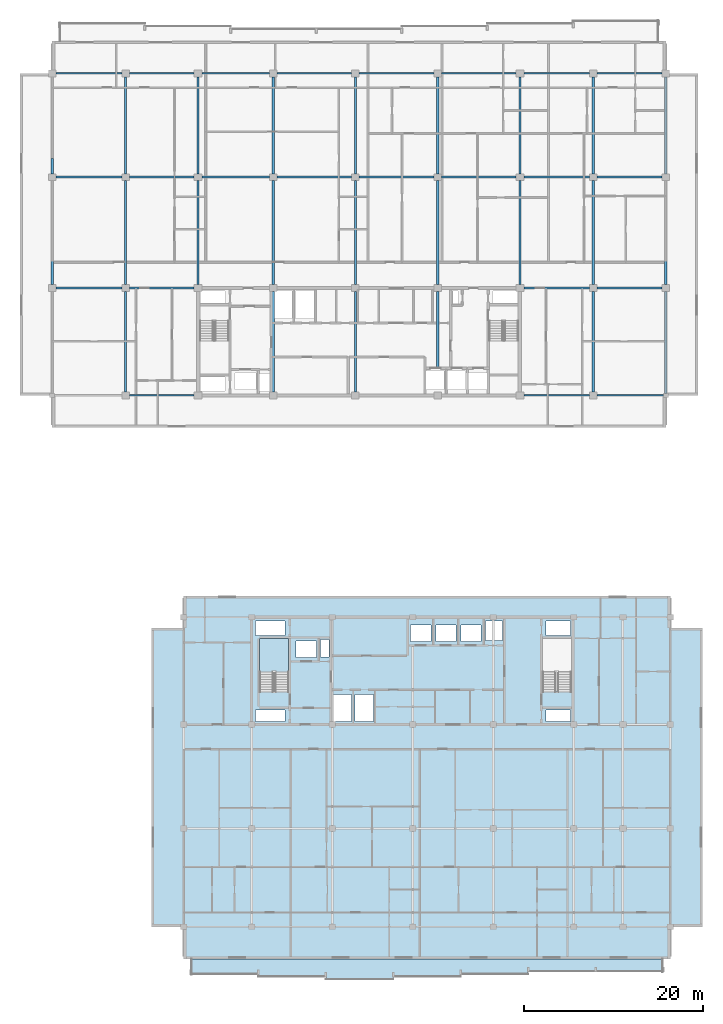
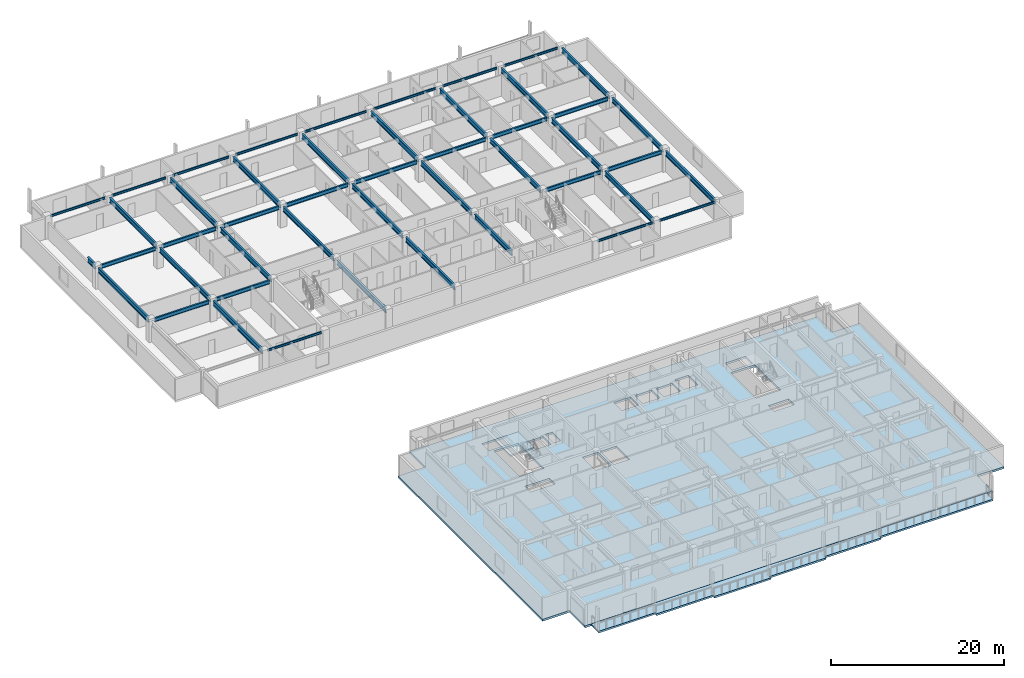
# One storey, part 2 of 22: 47 beams, 3 slabs, 1 element without a shape of its own.
"""IFC4 building model written with IfcOpenShell, lengths in metres."""

from ifc_helpers import new_model, si_unit, direction, frame, origin, origin_2d, place, context, subcontext, project, spatial, polyline, i_section, outline, extrude, material, layer, layer_set, material_profile, profile_set, type_object, element, aggregate, save


model = new_model("IFC4")

# Units and contexts
model_context = context("Model", 3, precision=1e-05, world=origin(), true_north=direction((0.0, 1.0)))
body_context = subcontext(model_context, "Body", "Model", "MODEL_VIEW")
ifc_project = project(units=[si_unit("LENGTHUNIT", "METRE"), si_unit("AREAUNIT", "SQUARE_METRE"), si_unit("VOLUMEUNIT", "CUBIC_METRE"), si_unit("PLANEANGLEUNIT", "RADIAN"), si_unit("MASSUNIT", "GRAM", prefix="KILO")], contexts=[model_context])

# Site, building, storey
site_placement = place(None, origin())
site = spatial("IfcSite", under=ifc_project, at=site_placement, CompositionType="ELEMENT")
building_placement = place(site_placement, origin())
building = spatial("IfcBuilding", under=site, at=building_placement, Name="Korimba Cascade Residences", CompositionType="ELEMENT")
storey_placement = place(building_placement, frame((0.0, 0.0, 181.60009765625)))
storey = spatial("IfcBuildingStorey", under=building, at=storey_placement, Name="L52", CompositionType="ELEMENT", Elevation=181.60009765625)

# Beams
ifc_material_1 = material(Name="Steel S355", Category="steel")
ifc_material_profile_1 = material_profile(ifc_material_1, i_section(OverallWidth=0.165771484375, OverallDepth=0.306640625, WebThickness=0.006591796875, FlangeThickness=0.01171875, FilletRadius=0.0087890625, at=origin_2d()), Name="Steel S355")
ifc_profile_set_1 = profile_set([ifc_material_profile_1], Name="Steel S355")
beam_type_1 = type_object("IfcBeamType", Name="BM-STL-UB305", PredefinedType="SPANDREL", material=ifc_profile_set_1)
beam_1_placement = place(storey_placement, frame((68.425048828125, 55.199951171875, 2.816650390625), z_axis=(1.0, 0.0, 0.0), x_axis=(0.0, 1.0, 0.0)))
element("IfcBeam", 1, at=beam_1_placement, inside=storey, type_object=beam_type_1, Name="L52 T1 E-W Girder Y1 Bay 2", PredefinedType="SPANDREL", context=body_context, shape_type="SweptSolid", body=[
    extrude(i_section(OverallWidth=0.165771484375, OverallDepth=0.306640625, WebThickness=0.006591796875, FlangeThickness=0.01171875, FilletRadius=0.0087890625, at=origin_2d()), origin(), (0.0, 0.0, 1.0), 7.25),
])
beam_2_placement = place(storey_placement, frame((112.52490234375, 55.199951171875, 2.816650390625), z_axis=(1.0, 0.0, 0.0), x_axis=(0.0, 1.0, 0.0)))
element("IfcBeam", 2, at=beam_2_placement, inside=storey, type_object=beam_type_1, Name="L52 T1 E-W Girder Y1 Bay 7", PredefinedType="SPANDREL", context=body_context, shape_type="SweptSolid", body=[
    extrude(i_section(OverallWidth=0.165771484375, OverallDepth=0.306640625, WebThickness=0.006591796875, FlangeThickness=0.01171875, FilletRadius=0.0087890625, at=origin_2d()), origin(), (0.0, 0.0, 1.0), 7.35009765625),
])
beam_3_placement = place(storey_placement, frame((120.72509765625, 55.199951171875, 2.816650390625), z_axis=(1.0, 0.0, 0.0), x_axis=(0.0, 1.0, 0.0)))
element("IfcBeam", 3, at=beam_3_placement, inside=storey, type_object=beam_type_1, Name="L52 T1 E-W Girder Y1 Bay 8", PredefinedType="SPANDREL", context=body_context, shape_type="SweptSolid", body=[
    extrude(i_section(OverallWidth=0.165771484375, OverallDepth=0.306640625, WebThickness=0.006591796875, FlangeThickness=0.01171875, FilletRadius=0.0087890625, at=origin_2d()), origin(), (0.0, 0.0, 1.0), 7.39990234375),
])
beam_4_placement = place(storey_placement, frame((60.22509765625, 91.199951171875, 2.816650390625), z_axis=(1.0, 0.0, 0.0), x_axis=(0.0, 1.0, 0.0)))
element("IfcBeam", 4, at=beam_4_placement, inside=storey, type_object=beam_type_1, Name="L52 T1 E-W Girder Y4 Bay 1", PredefinedType="SPANDREL", context=body_context, shape_type="SweptSolid", body=[
    extrude(i_section(OverallWidth=0.165771484375, OverallDepth=0.306640625, WebThickness=0.006591796875, FlangeThickness=0.01171875, FilletRadius=0.0087890625, at=origin_2d()), origin(), (0.0, 0.0, 1.0), 7.349853515625),
])
beam_5_placement = place(storey_placement, frame((68.425048828125, 91.199951171875, 2.816650390625), z_axis=(1.0, 0.0, 0.0), x_axis=(0.0, 1.0, 0.0)))
element("IfcBeam", 5, at=beam_5_placement, inside=storey, type_object=beam_type_1, Name="L52 T1 E-W Girder Y4 Bay 2", PredefinedType="SPANDREL", context=body_context, shape_type="SweptSolid", body=[
    extrude(i_section(OverallWidth=0.165771484375, OverallDepth=0.306640625, WebThickness=0.006591796875, FlangeThickness=0.01171875, FilletRadius=0.0087890625, at=origin_2d()), origin(), (0.0, 0.0, 1.0), 7.25),
])
beam_6_placement = place(storey_placement, frame((76.52490234375, 91.199951171875, 2.816650390625), z_axis=(1.0, 0.0, 0.0), x_axis=(0.0, 1.0, 0.0)))
element("IfcBeam", 6, at=beam_6_placement, inside=storey, type_object=beam_type_1, Name="L52 T1 E-W Girder Y4 Bay 3", PredefinedType="SPANDREL", context=body_context, shape_type="SweptSolid", body=[
    extrude(i_section(OverallWidth=0.165771484375, OverallDepth=0.306640625, WebThickness=0.006591796875, FlangeThickness=0.01171875, FilletRadius=0.0087890625, at=origin_2d()), origin(), (0.0, 0.0, 1.0), 7.550048828125),
])
beam_7_placement = place(storey_placement, frame((84.925048828125, 91.199951171875, 2.816650390625), z_axis=(1.0, 0.0, 0.0), x_axis=(0.0, 1.0, 0.0)))
element("IfcBeam", 7, at=beam_7_placement, inside=storey, type_object=beam_type_1, Name="L52 T1 E-W Girder Y4 Bay 4", PredefinedType="SPANDREL", context=body_context, shape_type="SweptSolid", body=[
    extrude(i_section(OverallWidth=0.165771484375, OverallDepth=0.306640625, WebThickness=0.006591796875, FlangeThickness=0.01171875, FilletRadius=0.0087890625, at=origin_2d()), origin(), (0.0, 0.0, 1.0), 8.349853515625),
])
for number, where, z_axis, x_axis, name in (
    (8, (94.125, 91.199951171875, 2.816650390625), (1.0, 0.0, 0.0), (0.0, 1.0, 0.0), "L52 T1 E-W Girder Y4 Bay 5"),
    (9, (103.324951171875, 91.199951171875, 2.816650390625), (1.0, 0.0, 0.0), (0.0, 1.0, 0.0), "L52 T1 E-W Girder Y4 Bay 6"),
):
    element("IfcBeam", number, at=place(storey_placement, frame(where, z_axis=z_axis, x_axis=x_axis)), inside=storey, type_object=beam_type_1, Name=name, PredefinedType="SPANDREL", context=body_context, shape_type="SweptSolid", body=[
        extrude(i_section(OverallWidth=0.165771484375, OverallDepth=0.306640625, WebThickness=0.006591796875, FlangeThickness=0.01171875, FilletRadius=0.0087890625, at=origin_2d()), origin(), (0.0, 0.0, 1.0), 8.35009765625),
    ])
beam_8_placement = place(storey_placement, frame((112.52490234375, 91.199951171875, 2.816650390625), z_axis=(1.0, 0.0, 0.0), x_axis=(0.0, 1.0, 0.0)))
element("IfcBeam", 10, at=beam_8_placement, inside=storey, type_object=beam_type_1, Name="L52 T1 E-W Girder Y4 Bay 7", PredefinedType="SPANDREL", context=body_context, shape_type="SweptSolid", body=[
    extrude(i_section(OverallWidth=0.165771484375, OverallDepth=0.306640625, WebThickness=0.006591796875, FlangeThickness=0.01171875, FilletRadius=0.0087890625, at=origin_2d()), origin(), (0.0, 0.0, 1.0), 7.35009765625),
])
beam_9_placement = place(storey_placement, frame((120.72509765625, 91.199951171875, 2.816650390625), z_axis=(1.0, 0.0, 0.0), x_axis=(0.0, 1.0, 0.0)))
element("IfcBeam", 11, at=beam_9_placement, inside=storey, type_object=beam_type_1, Name="L52 T1 E-W Girder Y4 Bay 8", PredefinedType="SPANDREL", context=body_context, shape_type="SweptSolid", body=[
    extrude(i_section(OverallWidth=0.165771484375, OverallDepth=0.306640625, WebThickness=0.006591796875, FlangeThickness=0.01171875, FilletRadius=0.0087890625, at=origin_2d()), origin(), (0.0, 0.0, 1.0), 7.25),
])
ifc_material_profile_2 = material_profile(ifc_material_1, i_section(OverallWidth=0.2099609375, OverallDepth=0.53662109375, WebThickness=0.0107421875, FlangeThickness=0.017333984375, FilletRadius=0.0126953125, at=origin_2d()), Name="Steel S355")
ifc_profile_set_2 = profile_set([ifc_material_profile_2], Name="Steel S355")
beam_type_2 = type_object("IfcBeamType", Name="BM-STL-UB533", PredefinedType="BEAM", material=ifc_profile_set_2)
beam_10_placement = place(storey_placement, frame((60.22509765625, 67.199951171875, 2.701416015625), z_axis=(1.0, 0.0, 0.0), x_axis=(0.0, 1.0, 0.0)))
element("IfcBeam", 12, at=beam_10_placement, inside=storey, type_object=beam_type_2, Name="L52 T1 E-W Girder Y2 Bay 1", PredefinedType="BEAM", context=body_context, shape_type="SweptSolid", body=[
    extrude(i_section(OverallWidth=0.2099609375, OverallDepth=0.53662109375, WebThickness=0.0107421875, FlangeThickness=0.017333984375, FilletRadius=0.0126953125, at=origin_2d()), origin(), (0.0, 0.0, 1.0), 7.349853515625),
])
beam_11_placement = place(storey_placement, frame((68.425048828125, 67.199951171875, 2.701416015625), z_axis=(1.0, 0.0, 0.0), x_axis=(0.0, 1.0, 0.0)))
element("IfcBeam", 13, at=beam_11_placement, inside=storey, type_object=beam_type_2, Name="L52 T1 E-W Girder Y2 Bay 2", PredefinedType="BEAM", context=body_context, shape_type="SweptSolid", body=[
    extrude(i_section(OverallWidth=0.2099609375, OverallDepth=0.53662109375, WebThickness=0.0107421875, FlangeThickness=0.017333984375, FilletRadius=0.0126953125, at=origin_2d()), origin(), (0.0, 0.0, 1.0), 7.25),
])
beam_12_placement = place(storey_placement, frame((112.52490234375, 67.199951171875, 2.701416015625), z_axis=(1.0, 0.0, 0.0), x_axis=(0.0, 1.0, 0.0)))
element("IfcBeam", 14, at=beam_12_placement, inside=storey, type_object=beam_type_2, Name="L52 T1 E-W Girder Y2 Bay 7", PredefinedType="BEAM", context=body_context, shape_type="SweptSolid", body=[
    extrude(i_section(OverallWidth=0.2099609375, OverallDepth=0.53662109375, WebThickness=0.0107421875, FlangeThickness=0.017333984375, FilletRadius=0.0126953125, at=origin_2d()), origin(), (0.0, 0.0, 1.0), 7.35009765625),
])
beam_13_placement = place(storey_placement, frame((120.72509765625, 67.199951171875, 2.701416015625), z_axis=(1.0, 0.0, 0.0), x_axis=(0.0, 1.0, 0.0)))
element("IfcBeam", 15, at=beam_13_placement, inside=storey, type_object=beam_type_2, Name="L52 T1 E-W Girder Y2 Bay 8", PredefinedType="BEAM", context=body_context, shape_type="SweptSolid", body=[
    extrude(i_section(OverallWidth=0.2099609375, OverallDepth=0.53662109375, WebThickness=0.0107421875, FlangeThickness=0.017333984375, FilletRadius=0.0126953125, at=origin_2d()), origin(), (0.0, 0.0, 1.0), 7.25),
])
beam_14_placement = place(storey_placement, frame((60.22509765625, 79.60009765625, 2.701416015625), z_axis=(1.0, 0.0, 0.0), x_axis=(0.0, 1.0, 0.0)))
element("IfcBeam", 16, at=beam_14_placement, inside=storey, type_object=beam_type_2, Name="L52 T1 E-W Girder Y3 Bay 1", PredefinedType="BEAM", context=body_context, shape_type="SweptSolid", body=[
    extrude(i_section(OverallWidth=0.2099609375, OverallDepth=0.53662109375, WebThickness=0.0107421875, FlangeThickness=0.017333984375, FilletRadius=0.0126953125, at=origin_2d()), origin(), (0.0, 0.0, 1.0), 7.349853515625),
])
beam_15_placement = place(storey_placement, frame((68.425048828125, 79.60009765625, 2.701416015625), z_axis=(1.0, 0.0, 0.0), x_axis=(0.0, 1.0, 0.0)))
element("IfcBeam", 17, at=beam_15_placement, inside=storey, type_object=beam_type_2, Name="L52 T1 E-W Girder Y3 Bay 2", PredefinedType="BEAM", context=body_context, shape_type="SweptSolid", body=[
    extrude(i_section(OverallWidth=0.2099609375, OverallDepth=0.53662109375, WebThickness=0.0107421875, FlangeThickness=0.017333984375, FilletRadius=0.0126953125, at=origin_2d()), origin(), (0.0, 0.0, 1.0), 7.25),
])
beam_16_placement = place(storey_placement, frame((76.52490234375, 79.60009765625, 2.701416015625), z_axis=(1.0, 0.0, 0.0), x_axis=(0.0, 1.0, 0.0)))
element("IfcBeam", 18, at=beam_16_placement, inside=storey, type_object=beam_type_2, Name="L52 T1 E-W Girder Y3 Bay 3", PredefinedType="BEAM", context=body_context, shape_type="SweptSolid", body=[
    extrude(i_section(OverallWidth=0.2099609375, OverallDepth=0.53662109375, WebThickness=0.0107421875, FlangeThickness=0.017333984375, FilletRadius=0.0126953125, at=origin_2d()), origin(), (0.0, 0.0, 1.0), 7.550048828125),
])
beam_17_placement = place(storey_placement, frame((84.925048828125, 79.60009765625, 2.701416015625), z_axis=(1.0, 0.0, 0.0), x_axis=(0.0, 1.0, 0.0)))
element("IfcBeam", 19, at=beam_17_placement, inside=storey, type_object=beam_type_2, Name="L52 T1 E-W Girder Y3 Bay 4", PredefinedType="BEAM", context=body_context, shape_type="SweptSolid", body=[
    extrude(i_section(OverallWidth=0.2099609375, OverallDepth=0.53662109375, WebThickness=0.0107421875, FlangeThickness=0.017333984375, FilletRadius=0.0126953125, at=origin_2d()), origin(), (0.0, 0.0, 1.0), 8.349853515625),
])
for number, where, z_axis, x_axis, name in (
    (20, (94.125, 79.60009765625, 2.701416015625), (1.0, 0.0, 0.0), (0.0, 1.0, 0.0), "L52 T1 E-W Girder Y3 Bay 5"),
    (21, (103.324951171875, 79.60009765625, 2.701416015625), (1.0, 0.0, 0.0), (0.0, 1.0, 0.0), "L52 T1 E-W Girder Y3 Bay 6"),
):
    element("IfcBeam", number, at=place(storey_placement, frame(where, z_axis=z_axis, x_axis=x_axis)), inside=storey, type_object=beam_type_2, Name=name, PredefinedType="BEAM", context=body_context, shape_type="SweptSolid", body=[
        extrude(i_section(OverallWidth=0.2099609375, OverallDepth=0.53662109375, WebThickness=0.0107421875, FlangeThickness=0.017333984375, FilletRadius=0.0126953125, at=origin_2d()), origin(), (0.0, 0.0, 1.0), 8.35009765625),
    ])
beam_18_placement = place(storey_placement, frame((112.52490234375, 79.60009765625, 2.701416015625), z_axis=(1.0, 0.0, 0.0), x_axis=(0.0, 1.0, 0.0)))
element("IfcBeam", 22, at=beam_18_placement, inside=storey, type_object=beam_type_2, Name="L52 T1 E-W Girder Y3 Bay 7", PredefinedType="BEAM", context=body_context, shape_type="SweptSolid", body=[
    extrude(i_section(OverallWidth=0.2099609375, OverallDepth=0.53662109375, WebThickness=0.0107421875, FlangeThickness=0.017333984375, FilletRadius=0.0126953125, at=origin_2d()), origin(), (0.0, 0.0, 1.0), 7.35009765625),
])
beam_19_placement = place(storey_placement, frame((120.72509765625, 79.60009765625, 2.701416015625), z_axis=(1.0, 0.0, 0.0), x_axis=(0.0, 1.0, 0.0)))
element("IfcBeam", 23, at=beam_19_placement, inside=storey, type_object=beam_type_2, Name="L52 T1 E-W Girder Y3 Bay 8", PredefinedType="BEAM", context=body_context, shape_type="SweptSolid", body=[
    extrude(i_section(OverallWidth=0.2099609375, OverallDepth=0.53662109375, WebThickness=0.0107421875, FlangeThickness=0.017333984375, FilletRadius=0.0126953125, at=origin_2d()), origin(), (0.0, 0.0, 1.0), 7.25),
])
ifc_material_profile_3 = material_profile(ifc_material_1, i_section(OverallWidth=0.255859375, OverallDepth=0.69287109375, WebThickness=0.014404296875, FlangeThickness=0.023681640625, FilletRadius=0.01513671875, at=origin_2d()), Name="Steel S355")
ifc_profile_set_3 = profile_set([ifc_material_profile_3], Name="Steel S355")
beam_type_3 = type_object("IfcBeamType", Name="BM-STL-UB686", PredefinedType="BEAM", material=ifc_profile_set_3)
beam_20_placement = place(storey_placement, frame((59.800048828125, 67.574951171875, 2.623291015625), z_axis=(0.0, 1.0, 0.0), x_axis=(-1.0, 0.0, 0.0)))
element("IfcBeam", 24, at=beam_20_placement, inside=storey, type_object=beam_type_3, Name="L52 T1 N-S Girder X1 Seg 2", PredefinedType="BEAM", context=body_context, shape_type="SweptSolid", body=[
    extrude(i_section(OverallWidth=0.255859375, OverallDepth=0.69287109375, WebThickness=0.014404296875, FlangeThickness=0.023681640625, FilletRadius=0.01513671875, at=origin_2d()), origin(), (0.0, 0.0, 1.0), 11.650146484375),
])
beam_21_placement = place(storey_placement, frame((59.800048828125, 79.97509765625, 2.623291015625), z_axis=(0.0, 1.0, 0.0), x_axis=(-1.0, 0.0, 0.0)))
element("IfcBeam", 25, at=beam_21_placement, inside=storey, type_object=beam_type_3, Name="L52 T1 N-S Girder X1 Seg 3", PredefinedType="BEAM", context=body_context, shape_type="SweptSolid", body=[
    extrude(i_section(OverallWidth=0.255859375, OverallDepth=0.69287109375, WebThickness=0.014404296875, FlangeThickness=0.023681640625, FilletRadius=0.01513671875, at=origin_2d()), origin(), (0.0, 0.0, 1.0), 1.724853515625),
])
beam_22_placement = place(storey_placement, frame((68.0, 55.574951171875, 2.623291015625), z_axis=(0.0, 1.0, 0.0), x_axis=(-1.0, 0.0, 0.0)))
element("IfcBeam", 26, at=beam_22_placement, inside=storey, type_object=beam_type_3, Name="L52 T1 N-S Girder X2 Seg 1", PredefinedType="BEAM", context=body_context, shape_type="SweptSolid", body=[
    extrude(i_section(OverallWidth=0.255859375, OverallDepth=0.69287109375, WebThickness=0.014404296875, FlangeThickness=0.023681640625, FilletRadius=0.01513671875, at=origin_2d()), origin(), (0.0, 0.0, 1.0), 11.25),
])
beam_23_placement = place(storey_placement, frame((68.0, 67.574951171875, 2.623291015625), z_axis=(0.0, 1.0, 0.0), x_axis=(-1.0, 0.0, 0.0)))
element("IfcBeam", 27, at=beam_23_placement, inside=storey, type_object=beam_type_3, Name="L52 T1 N-S Girder X2 Seg 2", PredefinedType="BEAM", context=body_context, shape_type="SweptSolid", body=[
    extrude(i_section(OverallWidth=0.255859375, OverallDepth=0.69287109375, WebThickness=0.014404296875, FlangeThickness=0.023681640625, FilletRadius=0.01513671875, at=origin_2d()), origin(), (0.0, 0.0, 1.0), 11.650146484375),
])
beam_24_placement = place(storey_placement, frame((68.0, 79.97509765625, 2.623291015625), z_axis=(0.0, 1.0, 0.0), x_axis=(-1.0, 0.0, 0.0)))
element("IfcBeam", 28, at=beam_24_placement, inside=storey, type_object=beam_type_3, Name="L52 T1 N-S Girder X2 Seg 3", PredefinedType="BEAM", context=body_context, shape_type="SweptSolid", body=[
    extrude(i_section(OverallWidth=0.255859375, OverallDepth=0.69287109375, WebThickness=0.014404296875, FlangeThickness=0.023681640625, FilletRadius=0.01513671875, at=origin_2d()), origin(), (0.0, 0.0, 1.0), 10.849853515625),
])
beam_25_placement = place(storey_placement, frame((76.10009765625, 67.574951171875, 2.623291015625), z_axis=(0.0, 1.0, 0.0), x_axis=(-1.0, 0.0, 0.0)))
element("IfcBeam", 29, at=beam_25_placement, inside=storey, type_object=beam_type_3, Name="L52 T1 N-S Girder X3 Seg 2", PredefinedType="BEAM", context=body_context, shape_type="SweptSolid", body=[
    extrude(i_section(OverallWidth=0.255859375, OverallDepth=0.69287109375, WebThickness=0.014404296875, FlangeThickness=0.023681640625, FilletRadius=0.01513671875, at=origin_2d()), origin(), (0.0, 0.0, 1.0), 11.650146484375),
])
beam_26_placement = place(storey_placement, frame((76.10009765625, 79.97509765625, 2.623291015625), z_axis=(0.0, 1.0, 0.0), x_axis=(-1.0, 0.0, 0.0)))
element("IfcBeam", 30, at=beam_26_placement, inside=storey, type_object=beam_type_3, Name="L52 T1 N-S Girder X3 Seg 3", PredefinedType="BEAM", context=body_context, shape_type="SweptSolid", body=[
    extrude(i_section(OverallWidth=0.255859375, OverallDepth=0.69287109375, WebThickness=0.014404296875, FlangeThickness=0.023681640625, FilletRadius=0.01513671875, at=origin_2d()), origin(), (0.0, 0.0, 1.0), 10.849853515625),
])
beam_27_placement = place(storey_placement, frame((84.5, 55.574951171875, 2.623291015625), z_axis=(0.0, 1.0, 0.0), x_axis=(-1.0, 0.0, 0.0)))
element("IfcBeam", 31, at=beam_27_placement, inside=storey, type_object=beam_type_3, Name="L52 T1 N-S Girder X4 Seg 1", PredefinedType="BEAM", context=body_context, shape_type="SweptSolid", body=[
    extrude(i_section(OverallWidth=0.255859375, OverallDepth=0.69287109375, WebThickness=0.014404296875, FlangeThickness=0.023681640625, FilletRadius=0.01513671875, at=origin_2d()), origin(), (0.0, 0.0, 1.0), 11.25),
])
beam_28_placement = place(storey_placement, frame((84.5, 67.574951171875, 2.623291015625), z_axis=(0.0, 1.0, 0.0), x_axis=(-1.0, 0.0, 0.0)))
element("IfcBeam", 32, at=beam_28_placement, inside=storey, type_object=beam_type_3, Name="L52 T1 N-S Girder X4 Seg 2", PredefinedType="BEAM", context=body_context, shape_type="SweptSolid", body=[
    extrude(i_section(OverallWidth=0.255859375, OverallDepth=0.69287109375, WebThickness=0.014404296875, FlangeThickness=0.023681640625, FilletRadius=0.01513671875, at=origin_2d()), origin(), (0.0, 0.0, 1.0), 11.650146484375),
])
beam_29_placement = place(storey_placement, frame((84.5, 79.97509765625, 2.623291015625), z_axis=(0.0, 1.0, 0.0), x_axis=(-1.0, 0.0, 0.0)))
element("IfcBeam", 33, at=beam_29_placement, inside=storey, type_object=beam_type_3, Name="L52 T1 N-S Girder X4 Seg 3", PredefinedType="BEAM", context=body_context, shape_type="SweptSolid", body=[
    extrude(i_section(OverallWidth=0.255859375, OverallDepth=0.69287109375, WebThickness=0.014404296875, FlangeThickness=0.023681640625, FilletRadius=0.01513671875, at=origin_2d()), origin(), (0.0, 0.0, 1.0), 10.849853515625),
])
beam_30_placement = place(storey_placement, frame((93.699951171875, 55.574951171875, 2.623291015625), z_axis=(0.0, 1.0, 0.0), x_axis=(-1.0, 0.0, 0.0)))
element("IfcBeam", 34, at=beam_30_placement, inside=storey, type_object=beam_type_3, Name="L52 T1 N-S Girder X5 Seg 1", PredefinedType="BEAM", context=body_context, shape_type="SweptSolid", body=[
    extrude(i_section(OverallWidth=0.255859375, OverallDepth=0.69287109375, WebThickness=0.014404296875, FlangeThickness=0.023681640625, FilletRadius=0.01513671875, at=origin_2d()), origin(), (0.0, 0.0, 1.0), 11.25),
])
beam_31_placement = place(storey_placement, frame((93.699951171875, 67.574951171875, 2.623291015625), z_axis=(0.0, 1.0, 0.0), x_axis=(-1.0, 0.0, 0.0)))
element("IfcBeam", 35, at=beam_31_placement, inside=storey, type_object=beam_type_3, Name="L52 T1 N-S Girder X5 Seg 2", PredefinedType="BEAM", context=body_context, shape_type="SweptSolid", body=[
    extrude(i_section(OverallWidth=0.255859375, OverallDepth=0.69287109375, WebThickness=0.014404296875, FlangeThickness=0.023681640625, FilletRadius=0.01513671875, at=origin_2d()), origin(), (0.0, 0.0, 1.0), 11.650146484375),
])
beam_32_placement = place(storey_placement, frame((93.699951171875, 79.97509765625, 2.623291015625), z_axis=(0.0, 1.0, 0.0), x_axis=(-1.0, 0.0, 0.0)))
element("IfcBeam", 36, at=beam_32_placement, inside=storey, type_object=beam_type_3, Name="L52 T1 N-S Girder X5 Seg 3", PredefinedType="BEAM", context=body_context, shape_type="SweptSolid", body=[
    extrude(i_section(OverallWidth=0.255859375, OverallDepth=0.69287109375, WebThickness=0.014404296875, FlangeThickness=0.023681640625, FilletRadius=0.01513671875, at=origin_2d()), origin(), (0.0, 0.0, 1.0), 10.849853515625),
])
beam_33_placement = place(storey_placement, frame((102.89990234375, 58.260009765625, 2.623291015625), z_axis=(0.0, 1.0, 0.0), x_axis=(-1.0, 0.0, 0.0)))
element("IfcBeam", 37, at=beam_33_placement, inside=storey, type_object=beam_type_3, Name="L52 T1 N-S Girder X6 Seg 1", PredefinedType="BEAM", context=body_context, shape_type="SweptSolid", body=[
    extrude(i_section(OverallWidth=0.255859375, OverallDepth=0.69287109375, WebThickness=0.014404296875, FlangeThickness=0.023681640625, FilletRadius=0.01513671875, at=origin_2d()), origin(), (0.0, 0.0, 1.0), 8.56494140625),
])
beam_34_placement = place(storey_placement, frame((102.89990234375, 67.574951171875, 2.623291015625), z_axis=(0.0, 1.0, 0.0), x_axis=(-1.0, 0.0, 0.0)))
element("IfcBeam", 38, at=beam_34_placement, inside=storey, type_object=beam_type_3, Name="L52 T1 N-S Girder X6 Seg 2", PredefinedType="BEAM", context=body_context, shape_type="SweptSolid", body=[
    extrude(i_section(OverallWidth=0.255859375, OverallDepth=0.69287109375, WebThickness=0.014404296875, FlangeThickness=0.023681640625, FilletRadius=0.01513671875, at=origin_2d()), origin(), (0.0, 0.0, 1.0), 11.650146484375),
])
beam_35_placement = place(storey_placement, frame((102.89990234375, 79.97509765625, 2.623291015625), z_axis=(0.0, 1.0, 0.0), x_axis=(-1.0, 0.0, 0.0)))
element("IfcBeam", 39, at=beam_35_placement, inside=storey, type_object=beam_type_3, Name="L52 T1 N-S Girder X6 Seg 3", PredefinedType="BEAM", context=body_context, shape_type="SweptSolid", body=[
    extrude(i_section(OverallWidth=0.255859375, OverallDepth=0.69287109375, WebThickness=0.014404296875, FlangeThickness=0.023681640625, FilletRadius=0.01513671875, at=origin_2d()), origin(), (0.0, 0.0, 1.0), 10.849853515625),
])
beam_36_placement = place(storey_placement, frame((112.10009765625, 67.574951171875, 2.623291015625), z_axis=(0.0, 1.0, 0.0), x_axis=(-1.0, 0.0, 0.0)))
element("IfcBeam", 40, at=beam_36_placement, inside=storey, type_object=beam_type_3, Name="L52 T1 N-S Girder X7 Seg 2", PredefinedType="BEAM", context=body_context, shape_type="SweptSolid", body=[
    extrude(i_section(OverallWidth=0.255859375, OverallDepth=0.69287109375, WebThickness=0.014404296875, FlangeThickness=0.023681640625, FilletRadius=0.01513671875, at=origin_2d()), origin(), (0.0, 0.0, 1.0), 11.650146484375),
])
beam_37_placement = place(storey_placement, frame((112.10009765625, 79.97509765625, 2.623291015625), z_axis=(0.0, 1.0, 0.0), x_axis=(-1.0, 0.0, 0.0)))
element("IfcBeam", 41, at=beam_37_placement, inside=storey, type_object=beam_type_3, Name="L52 T1 N-S Girder X7 Seg 3", PredefinedType="BEAM", context=body_context, shape_type="SweptSolid", body=[
    extrude(i_section(OverallWidth=0.255859375, OverallDepth=0.69287109375, WebThickness=0.014404296875, FlangeThickness=0.023681640625, FilletRadius=0.01513671875, at=origin_2d()), origin(), (0.0, 0.0, 1.0), 10.849853515625),
])
beam_38_placement = place(storey_placement, frame((120.300048828125, 55.574951171875, 2.623291015625), z_axis=(0.0, 1.0, 0.0), x_axis=(-1.0, 0.0, 0.0)))
element("IfcBeam", 42, at=beam_38_placement, inside=storey, type_object=beam_type_3, Name="L52 T1 N-S Girder X8 Seg 1", PredefinedType="BEAM", context=body_context, shape_type="SweptSolid", body=[
    extrude(i_section(OverallWidth=0.255859375, OverallDepth=0.69287109375, WebThickness=0.014404296875, FlangeThickness=0.023681640625, FilletRadius=0.01513671875, at=origin_2d()), origin(), (0.0, 0.0, 1.0), 11.25),
])
beam_39_placement = place(storey_placement, frame((120.300048828125, 67.574951171875, 2.623291015625), z_axis=(0.0, 1.0, 0.0), x_axis=(-1.0, 0.0, 0.0)))
element("IfcBeam", 43, at=beam_39_placement, inside=storey, type_object=beam_type_3, Name="L52 T1 N-S Girder X8 Seg 2", PredefinedType="BEAM", context=body_context, shape_type="SweptSolid", body=[
    extrude(i_section(OverallWidth=0.255859375, OverallDepth=0.69287109375, WebThickness=0.014404296875, FlangeThickness=0.023681640625, FilletRadius=0.01513671875, at=origin_2d()), origin(), (0.0, 0.0, 1.0), 11.650146484375),
])
beam_40_placement = place(storey_placement, frame((120.300048828125, 79.97509765625, 2.623291015625), z_axis=(0.0, 1.0, 0.0), x_axis=(-1.0, 0.0, 0.0)))
element("IfcBeam", 44, at=beam_40_placement, inside=storey, type_object=beam_type_3, Name="L52 T1 N-S Girder X8 Seg 3", PredefinedType="BEAM", context=body_context, shape_type="SweptSolid", body=[
    extrude(i_section(OverallWidth=0.255859375, OverallDepth=0.69287109375, WebThickness=0.014404296875, FlangeThickness=0.023681640625, FilletRadius=0.01513671875, at=origin_2d()), origin(), (0.0, 0.0, 1.0), 10.849853515625),
])
beam_41_placement = place(storey_placement, frame((128.39990234375, 55.425048828125, 2.623291015625), z_axis=(0.0, 1.0, 0.0), x_axis=(-1.0, 0.0, 0.0)))
element("IfcBeam", 45, at=beam_41_placement, inside=storey, type_object=beam_type_3, Name="L52 T1 N-S Girder X9 Seg 1", PredefinedType="BEAM", context=body_context, shape_type="SweptSolid", body=[
    extrude(i_section(OverallWidth=0.255859375, OverallDepth=0.69287109375, WebThickness=0.014404296875, FlangeThickness=0.023681640625, FilletRadius=0.01513671875, at=origin_2d()), origin(), (0.0, 0.0, 1.0), 11.39990234375),
])
beam_42_placement = place(storey_placement, frame((128.39990234375, 67.574951171875, 2.623291015625), z_axis=(0.0, 1.0, 0.0), x_axis=(-1.0, 0.0, 0.0)))
element("IfcBeam", 46, at=beam_42_placement, inside=storey, type_object=beam_type_3, Name="L52 T1 N-S Girder X9 Seg 2", PredefinedType="BEAM", context=body_context, shape_type="SweptSolid", body=[
    extrude(i_section(OverallWidth=0.255859375, OverallDepth=0.69287109375, WebThickness=0.014404296875, FlangeThickness=0.023681640625, FilletRadius=0.01513671875, at=origin_2d()), origin(), (0.0, 0.0, 1.0), 11.650146484375),
])
beam_43_placement = place(storey_placement, frame((128.39990234375, 79.97509765625, 2.623291015625), z_axis=(0.0, 1.0, 0.0), x_axis=(-1.0, 0.0, 0.0)))
element("IfcBeam", 47, at=beam_43_placement, inside=storey, type_object=beam_type_3, Name="L52 T1 N-S Girder X9 Seg 3", PredefinedType="BEAM", context=body_context, shape_type="SweptSolid", body=[
    extrude(i_section(OverallWidth=0.255859375, OverallDepth=0.69287109375, WebThickness=0.014404296875, FlangeThickness=0.023681640625, FilletRadius=0.01513671875, at=origin_2d()), origin(), (0.0, 0.0, 1.0), 10.849853515625),
])

# Stair, slab
ifc_material_2 = material(Name="Concrete C50/60", Category="concrete")
stair_type = type_object("IfcStairType", Name="STR-E1-18R-1806", PredefinedType="HALF_TURN_STAIR", material=ifc_material_2)
stair_placement = place(storey_placement, origin())
stair = element("IfcStair", 48, at=stair_placement, inside=storey, type_object=stair_type, Name="L52 Tower 2 West Fire Stair ST-E1", PredefinedType="HALF_TURN_STAIR")
ifc_layer_1 = layer(ifc_material_2, 0.199951171875)
ifc_layer_set_1 = layer_set([ifc_layer_1], Name="Concrete C50/60")
slab_type_1 = type_object("IfcSlabType", Name="SLB-LND-220", PredefinedType="LANDING", material=ifc_layer_set_1)
slab_1_placement = place(storey_placement, frame((0.0, 0.0, 1.4248046875)))
slab_1 = element("IfcSlab", 49, at=slab_1_placement, type_object=slab_type_1, Name="ST-E1 landing 1", PredefinedType="LANDING", context=body_context, shape_type="SweptSolid", body=[
    extrude(outline(polyline([(86.239990234375, 24.2900390625), (86.239990234375, 28.0), (83.0, 28.0), (83.0, 24.2900390625), (86.239990234375, 24.2900390625)])), origin(), (0.0, 0.0, 1.0), 0.2001953125),
])
aggregate(stair, [slab_1])

# Slabs
ifc_material_3 = material(Name="Precast concrete C40/50", Category="concrete")
ifc_layer_2 = layer(ifc_material_3, 0.239990234375)
ifc_layer_set_2 = layer_set([ifc_layer_2], Name="Precast concrete C40/50")
slab_type_2 = type_object("IfcSlabType", Name="SLB-LOG-240", PredefinedType="FLOOR", material=ifc_layer_set_2)
slab_2_placement = place(storey_placement, frame((0.0, 0.0, -0.239990234375)))
element("IfcSlab", 50, at=slab_2_placement, inside=storey, type_object=slab_type_2, Name="L52 Tower 2 South Loggia Slab", PredefinedType="FLOOR", context=body_context, shape_type="SweptSolid", body=[
    extrude(outline(polyline([(75.300048828125, -9.550048828125), (82.843017578125, -9.550048828125), (82.843017578125, -9.85009765625), (90.3857421875, -9.85009765625), (90.3857421875, -10.14990234375), (97.9287109375, -10.14990234375), (97.9287109375, -9.85009765625), (105.471435546875, -9.85009765625), (105.471435546875, -9.550048828125), (113.014404296875, -9.550048828125), (113.014404296875, -9.25), (128.10009765625, -9.25), (128.10009765625, -7.800048828125), (75.300048828125, -7.800048828125), (75.300048828125, -9.550048828125)])), origin(), (0.0, 0.0, 1.0), 0.239990234375),
])
ifc_layer_3 = layer(ifc_material_2, 0.280029296875)
ifc_layer_set_3 = layer_set([ifc_layer_3], Name="Concrete C50/60")
slab_type_3 = type_object("IfcSlabType", Name="SLB-TYP-280", PredefinedType="FLOOR", material=ifc_layer_set_3)
slab_3_placement = place(storey_placement, frame((0.0, 0.0, -0.280029296875)))
element("IfcSlab", 51, at=slab_3_placement, inside=storey, type_object=slab_type_3, Name="L52 Tower 2 Floor Slab", PredefinedType="FLOOR", context=body_context, shape_type="SweptSolid", body=[
    extrude(outline(polyline([(74.5, -7.800048828125), (128.89990234375, -7.800048828125), (128.89990234375, -4.199951171875), (132.5, -4.199951171875), (132.5, 29.199951171875), (128.89990234375, 29.199951171875), (128.89990234375, 32.800048828125), (74.5, 32.800048828125), (74.5, 29.199951171875), (70.89990234375, 29.199951171875), (70.89990234375, -4.199951171875), (74.5, -4.199951171875), (74.5, -7.800048828125)]), holes=[polyline([(86.239990234375, 22.0849609375), (86.239990234375, 28.0), (83.0, 28.0), (83.0, 22.0849609375), (86.239990234375, 22.0849609375)]), polyline([(117.840087890625, 22.0849609375), (117.840087890625, 28.0), (114.60009765625, 28.0), (114.60009765625, 22.0849609375), (117.840087890625, 22.0849609375)]), polyline([(87.030029296875, 25.8798828125), (89.3701171875, 25.8798828125), (89.3701171875, 27.719970703125), (87.030029296875, 27.719970703125), (87.030029296875, 25.8798828125)]), polyline([(99.8798828125, 27.679931640625), (102.1201171875, 27.679931640625), (102.1201171875, 29.52001953125), (99.8798828125, 29.52001953125), (99.8798828125, 27.679931640625)]), polyline([(102.679931640625, 27.679931640625), (104.919921875, 27.679931640625), (104.919921875, 29.52001953125), (102.679931640625, 29.52001953125), (102.679931640625, 27.679931640625)]), polyline([(105.47998046875, 27.679931640625), (107.719970703125, 27.679931640625), (107.719970703125, 29.52001953125), (105.47998046875, 29.52001953125), (105.47998046875, 27.679931640625)]), polyline([(89.780029296875, 25.97998046875), (90.719970703125, 25.97998046875), (90.719970703125, 27.919921875), (89.780029296875, 27.919921875), (89.780029296875, 25.97998046875)]), polyline([(82.530029296875, 18.72998046875), (85.800048828125, 18.72998046875), (85.800048828125, 20.0400390625), (82.530029296875, 20.0400390625), (82.530029296875, 18.72998046875)]), polyline([(82.530029296875, 28.360107421875), (85.800048828125, 28.360107421875), (85.800048828125, 29.969970703125), (82.530029296875, 29.969970703125), (82.530029296875, 28.360107421875)]), polyline([(108.22998046875, 27.780029296875), (110.1201171875, 27.780029296875), (110.1201171875, 29.969970703125), (108.22998046875, 29.969970703125), (108.22998046875, 27.780029296875)]), polyline([(91.22998046875, 18.72998046875), (93.27001953125, 18.72998046875), (93.27001953125, 21.780029296875), (91.22998046875, 21.780029296875), (91.22998046875, 18.72998046875)]), polyline([(93.6298828125, 18.72998046875), (95.719970703125, 18.72998046875), (95.719970703125, 21.780029296875), (93.6298828125, 21.780029296875), (93.6298828125, 18.72998046875)]), polyline([(115.02001953125, 18.72998046875), (117.739990234375, 18.72998046875), (117.739990234375, 20.0400390625), (115.02001953125, 20.0400390625), (115.02001953125, 18.72998046875)]), polyline([(115.02001953125, 28.360107421875), (117.739990234375, 28.360107421875), (117.739990234375, 29.969970703125), (115.02001953125, 29.969970703125), (115.02001953125, 28.360107421875)])]), origin(), (0.0, 0.0, 1.0), 0.280029296875),
])

save(model, "model.ifc")
